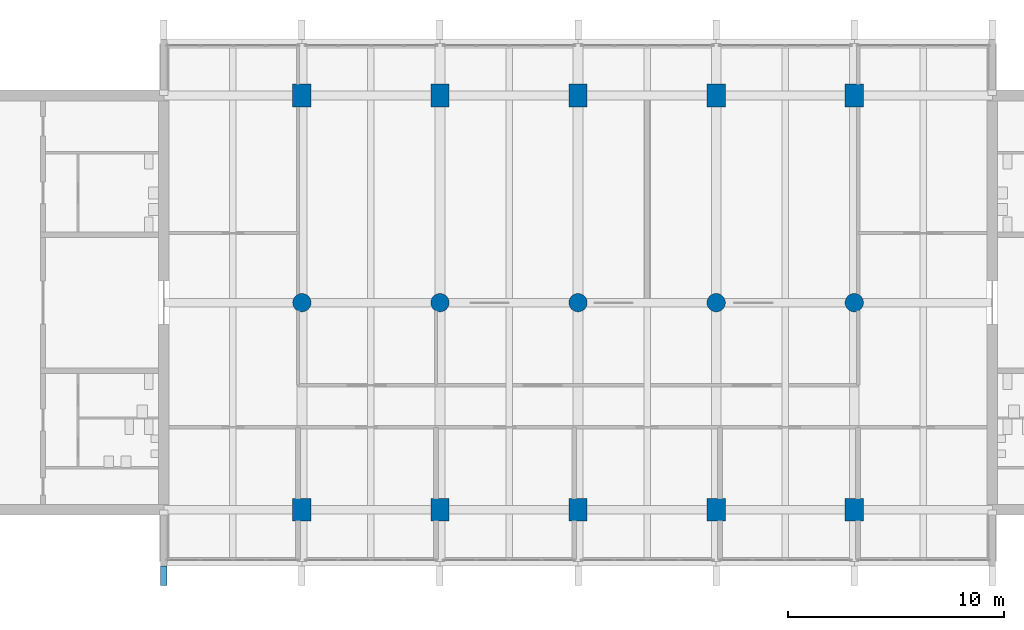
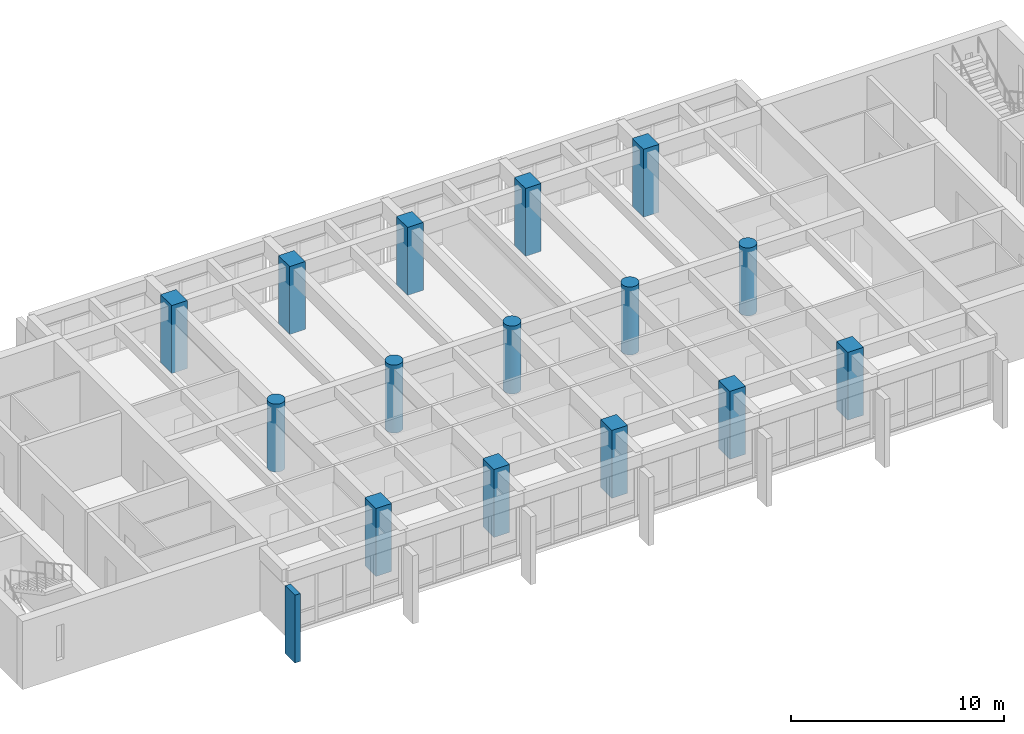
# One storey, part 1 of 15: 15 columns, 1 member.
"""IFC4 building model written with IfcOpenShell, lengths in metres."""

from ifc_helpers import new_model, si_unit, direction, frame, origin, origin_2d, place, context, subcontext, project, spatial, rectangle, circle, extrude, material, material_profile, profile_set, type_object, element, save


model = new_model("IFC4")

# Units and contexts
model_context = context("Model", 3, precision=1e-05, world=origin(), true_north=direction((0.0, 1.0)))
body_context = subcontext(model_context, "Body", "Model", "MODEL_VIEW")
ifc_project = project(units=[si_unit("LENGTHUNIT", "METRE"), si_unit("AREAUNIT", "SQUARE_METRE"), si_unit("VOLUMEUNIT", "CUBIC_METRE"), si_unit("PLANEANGLEUNIT", "RADIAN"), si_unit("MASSUNIT", "GRAM", prefix="KILO")], contexts=[model_context])

# Site, building, storey
site_placement = place(None, origin())
site = spatial("IfcSite", under=ifc_project, at=site_placement, CompositionType="ELEMENT")
building_placement = place(site_placement, origin())
building = spatial("IfcBuilding", under=site, at=building_placement, Name="Fogon Plaza Fire Station and Headquarters Tower", CompositionType="ELEMENT")
storey_placement = place(building_placement, frame((0.0, 0.0, 56.10009765625)))
storey = spatial("IfcBuildingStorey", under=building, at=storey_placement, Name="L14", CompositionType="ELEMENT", Elevation=56.10009765625)

# Columns
ifc_material_1 = material(Name="Concrete C40", Category="concrete")
ifc_material_profile_1 = material_profile(ifc_material_1, rectangle(XDim=0.85009765625, YDim=1.050048828125, at=origin_2d()), Name="RC 850x1050")
ifc_profile_set_1 = profile_set([ifc_material_profile_1], Name="Concrete C40")
column_type_1 = type_object("IfcColumnType", Name="COLUMN RC 850x1050", PredefinedType="COLUMN", material=ifc_profile_set_1)
for number, where, z_axis, x_axis, name in (
    (1, (32.0, 33.60009765625, 0.0), (0.0, 0.0, 1.0), (1.0, 0.0, 0.0), "col-L14-4E"),
    (2, (32.0, 52.800048828125, 0.0), (0.0, 0.0, 1.0), (1.0, 0.0, 0.0), "col-L14-4G"),
    (3, (38.39990234375, 33.60009765625, 0.0), (0.0, 0.0, 1.0), (1.0, 0.0, 0.0), "col-L14-5E"),
    (4, (38.39990234375, 52.800048828125, 0.0), (0.0, 0.0, 1.0), (1.0, 0.0, 0.0), "col-L14-5G"),
    (5, (44.800048828125, 33.60009765625, 0.0), (0.0, 0.0, 1.0), (1.0, 0.0, 0.0), "col-L14-6E"),
    (6, (44.800048828125, 52.800048828125, 0.0), (0.0, 0.0, 1.0), (1.0, 0.0, 0.0), "col-L14-6G"),
    (7, (51.199951171875, 33.60009765625, 0.0), (0.0, 0.0, 1.0), (1.0, 0.0, 0.0), "col-L14-7E"),
    (8, (51.199951171875, 52.800048828125, 0.0), (0.0, 0.0, 1.0), (1.0, 0.0, 0.0), "col-L14-7G"),
    (9, (57.60009765625, 33.60009765625, 0.0), (0.0, 0.0, 1.0), (1.0, 0.0, 0.0), "col-L14-8E"),
    (10, (57.60009765625, 52.800048828125, 0.0), (0.0, 0.0, 1.0), (1.0, 0.0, 0.0), "col-L14-8G"),
):
    element("IfcColumn", number, at=place(storey_placement, frame(where, z_axis=z_axis, x_axis=x_axis)), inside=storey, type_object=column_type_1, Name=name, PredefinedType="COLUMN", context=body_context, shape_type="SweptSolid", body=[
        extrude(rectangle(XDim=0.85009765625, YDim=1.050048828125, at=origin_2d()), origin(), (0.0, 0.0, 1.0), 3.89990234375),
    ])
ifc_material_2 = material(Name="Concrete C40", Category="concrete")
ifc_material_profile_2 = material_profile(ifc_material_2, circle(Radius=0.425048828125, at=origin_2d()), Name="RC D850")
ifc_profile_set_2 = profile_set([ifc_material_profile_2], Name="Concrete C40")
column_type_2 = type_object("IfcColumnType", Name="COLUMN RC D850", PredefinedType="COLUMN", material=ifc_profile_set_2)
for number, where, z_axis, x_axis, name in (
    (11, (32.0, 43.199951171875, 0.0), (0.0, 0.0, 1.0), (1.0, 0.0, 0.0), "col-L14-4F"),
    (12, (38.39990234375, 43.199951171875, 0.0), (0.0, 0.0, 1.0), (1.0, 0.0, 0.0), "col-L14-5F"),
    (13, (44.800048828125, 43.199951171875, 0.0), (0.0, 0.0, 1.0), (1.0, 0.0, 0.0), "col-L14-6F"),
    (14, (51.199951171875, 43.199951171875, 0.0), (0.0, 0.0, 1.0), (1.0, 0.0, 0.0), "col-L14-7F"),
    (15, (57.60009765625, 43.199951171875, 0.0), (0.0, 0.0, 1.0), (1.0, 0.0, 0.0), "col-L14-8F"),
):
    element("IfcColumn", number, at=place(storey_placement, frame(where, z_axis=z_axis, x_axis=x_axis)), inside=storey, type_object=column_type_2, Name=name, PredefinedType="COLUMN", context=body_context, shape_type="SweptSolid", body=[
        extrude(circle(Radius=0.425048828125, at=origin_2d()), origin(), (0.0, 0.0, 1.0), 3.89990234375),
    ])

# Member
ifc_material_3 = material(Name="Concrete C40 precast", Category="concrete")
ifc_material_profile_3 = material_profile(ifc_material_3, rectangle(XDim=0.300048828125, YDim=0.89990234375, at=origin_2d()), Name="Precast Concrete Post 300x900")
ifc_profile_set_3 = profile_set([ifc_material_profile_3], Name="Concrete C40 precast")
member_type = type_object("IfcMemberType", Name="Precast Concrete Post 300x900", PredefinedType="POST", material=ifc_profile_set_3)
member_placement = place(storey_placement, frame((25.60009765625, 30.550048828125, -1.02001953125), z_axis=(0.0, 0.0, 1.0), x_axis=(1.0, 0.0, 0.0)))
element("IfcMember", 16, at=member_placement, inside=storey, type_object=member_type, Name="Precast Post S L14", PredefinedType="POST", context=body_context, shape_type="SweptSolid", body=[
    extrude(rectangle(XDim=0.300048828125, YDim=0.89990234375, at=origin_2d()), origin(), (0.0, 0.0, 1.0), 3.89990234375),
])

save(model, "model.ifc")
